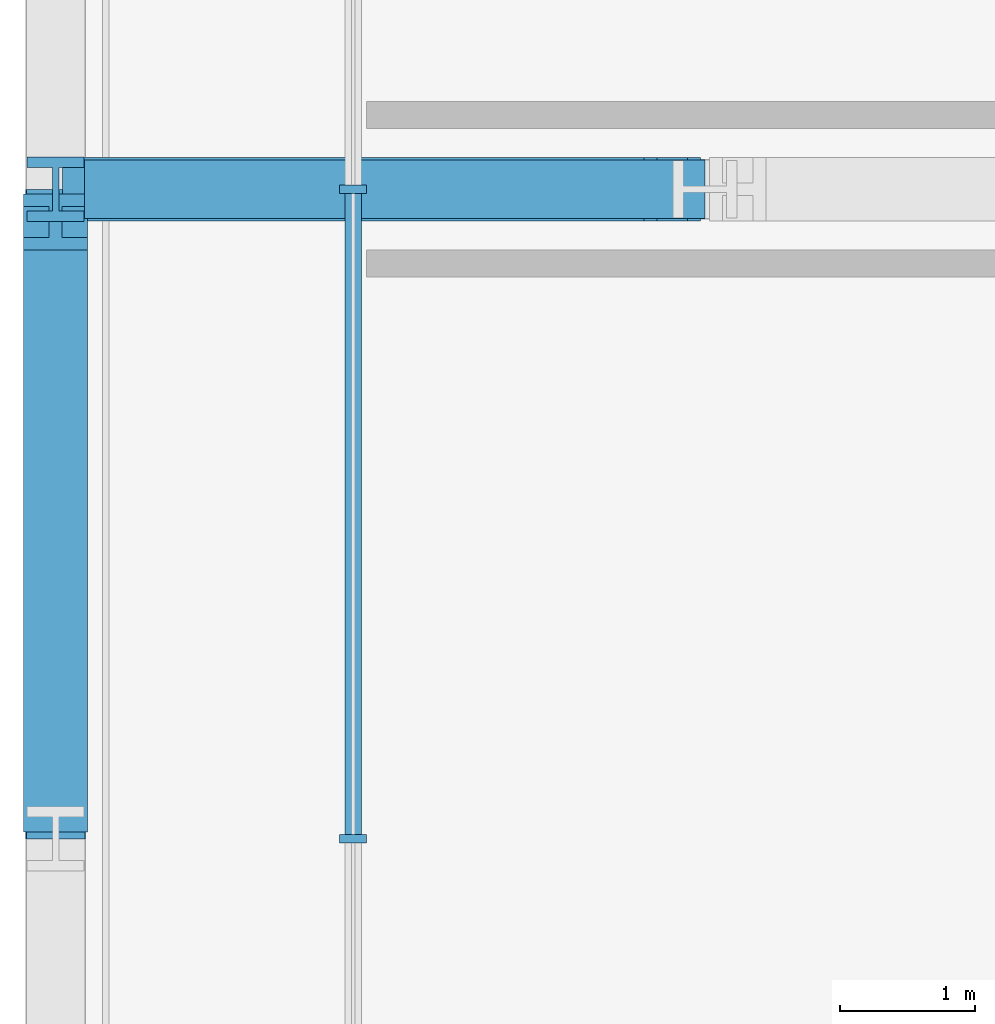
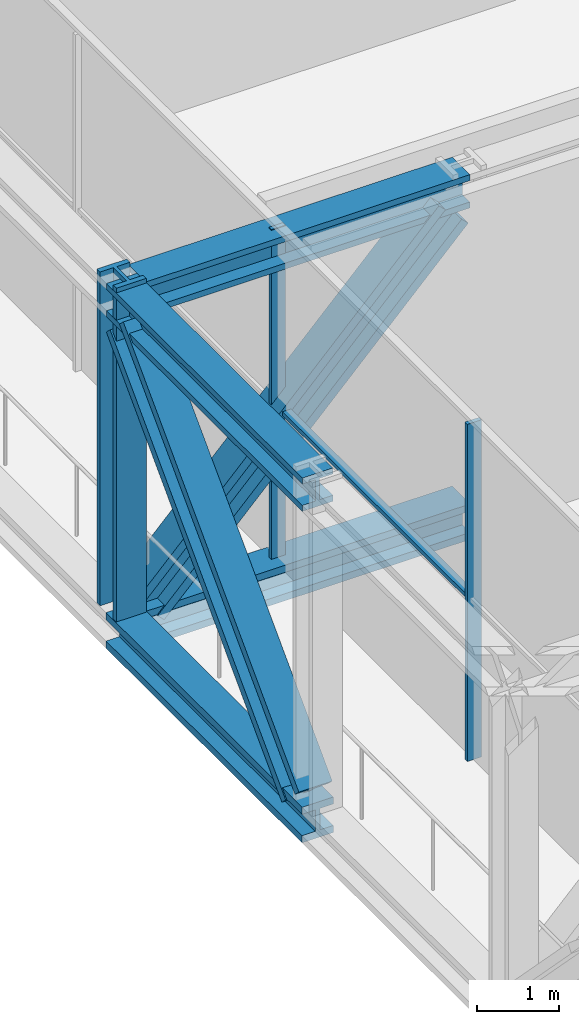
# One storey, part 4 of 25: 10 members, 1 element without a shape of its own.
"""IFC4 building model written with IfcOpenShell, lengths in metres."""

from ifc_helpers import new_model, si_unit, direction, frame, origin, origin_2d, place, context, subcontext, project, spatial, rectangle, i_section, extrude, material, layer, layer_set, material_profile, profile_set, type_object, element, aggregate, save


model = new_model("IFC4")

# Units and contexts
model_context = context("Model", 3, precision=1e-05, world=origin(), true_north=direction((0.0, 1.0)))
body_context = subcontext(model_context, "Body", "Model", "MODEL_VIEW")
ifc_project = project(units=[si_unit("LENGTHUNIT", "METRE"), si_unit("AREAUNIT", "SQUARE_METRE"), si_unit("VOLUMEUNIT", "CUBIC_METRE"), si_unit("PLANEANGLEUNIT", "RADIAN"), si_unit("MASSUNIT", "GRAM", prefix="KILO")], contexts=[model_context])

# Site, building, storey
site_placement = place(None, origin())
site = spatial("IfcSite", under=ifc_project, at=site_placement, CompositionType="ELEMENT")
building_placement = place(site_placement, origin())
building = spatial("IfcBuilding", under=site, at=building_placement, Name="Madar Terraces", CompositionType="ELEMENT")
storey_placement = place(building_placement, frame((0.0, 0.0, 113.699951171875)))
storey = spatial("IfcBuildingStorey", under=building, at=storey_placement, Name="L29", CompositionType="ELEMENT", Elevation=113.699951171875)

# Members
ifc_material_1 = material(Name="Steel ASTM A913 Grade 65", Category="steel")
ifc_material_profile_1 = material_profile(ifc_material_1, i_section(OverallWidth=0.44189453125, OverallDepth=0.53076171875, WebThickness=0.06591796875, FlangeThickness=0.105712890625, at=origin_2d()), Name="W14x605")
ifc_profile_set_1 = profile_set([ifc_material_profile_1], Name="Steel ASTM A913 Grade 65")
member_type_1 = type_object("IfcMemberType", Name="BC4 W14x605", PredefinedType="CHORD", material=ifc_profile_set_1)
member_1_placement = place(storey_placement, frame((0.0, 28.800048828125, -0.154541015625), z_axis=(0.0, -1.0, 0.0), x_axis=(1.0, 0.0, 0.0)))
element("IfcMember", 1, at=member_1_placement, inside=storey, type_object=member_type_1, Name="Exoskeleton truss ring bottom chord BC4", PredefinedType="CHORD", context=body_context, shape_type="SweptSolid", body=[
    extrude(i_section(OverallWidth=0.44189453125, OverallDepth=0.53076171875, WebThickness=0.06591796875, FlangeThickness=0.105712890625, at=origin_2d()), origin(), (0.0, 0.0, 1.0), 4.800048828125),
])
member_2_placement = place(storey_placement, frame((0.220947265625, 28.800048828125, -0.154541015625), z_axis=(1.0, 0.0, 0.0), x_axis=(0.0, 1.0, 0.0)))
element("IfcMember", 2, at=member_2_placement, inside=storey, type_object=member_type_1, Name="Exoskeleton truss cross W28.8 bottom chord BC4", PredefinedType="CHORD", context=body_context, shape_type="SweptSolid", body=[
    extrude(i_section(OverallWidth=0.44189453125, OverallDepth=0.53076171875, WebThickness=0.06591796875, FlangeThickness=0.105712890625, at=origin_2d()), origin(), (0.0, 0.0, 1.0), 4.5791015625),
])

# Curtain wall, members
ifc_material_2 = material(Name="Glass, ceramic frit dark grey, with black aluminium frame", Category="aluminium")
ifc_layer = layer(ifc_material_2, 0.199951171875)
ifc_layer_set = layer_set([ifc_layer], Name="Facade curtain wall, tall glazing")
curtain_wall_type = type_object("IfcCurtainWallType", Name="Facade curtain wall, tall glazing", PredefinedType="NOTDEFINED", material=ifc_layer_set)
curtain_wall_placement = place(storey_placement, origin())
curtain_wall = element("IfcCurtainWall", 3, at=curtain_wall_placement, inside=storey, type_object=curtain_wall_type, Name="Outer skin curtain wall west bay 1", PredefinedType="NOTDEFINED")
ifc_material_3 = material(Name="Aluminium, black anodised", Category="aluminium")
ifc_material_profile_2 = material_profile(ifc_material_3, rectangle(XDim=0.199951171875, YDim=0.06005859375, at=origin_2d()), Name="Facade mullion 60x200")
ifc_profile_set_2 = profile_set([ifc_material_profile_2], Name="Aluminium, black anodised")
member_type_2 = type_object("IfcMemberType", Name="Facade mullion 60x200", PredefinedType="MULLION", material=ifc_profile_set_2)
member_3_placement = place(storey_placement, frame((2.199951171875, 28.800048828125, 0.0), z_axis=(0.0, 0.0, 1.0), x_axis=(1.0, 0.0, 0.0)))
member_3 = element("IfcMember", 4, at=member_3_placement, type_object=member_type_2, Name="Mullion 4", PredefinedType="MULLION", context=body_context, shape_type="SweptSolid", body=[
    extrude(rectangle(XDim=0.199951171875, YDim=0.06005859375, at=origin_2d()), origin(), (0.0, 0.0, 1.0), 5.0400390625),
])
member_4_placement = place(storey_placement, frame((2.199951171875, 24.0, 0.0), z_axis=(0.0, 0.0, 1.0), x_axis=(1.0, 0.0, 0.0)))
member_4 = element("IfcMember", 5, at=member_4_placement, type_object=member_type_2, Name="Mullion 5", PredefinedType="MULLION", context=body_context, shape_type="SweptSolid", body=[
    extrude(rectangle(XDim=0.199951171875, YDim=0.06005859375, at=origin_2d()), origin(), (0.0, 0.0, 1.0), 5.0400390625),
])
ifc_material_4 = material(Name="Aluminium, black anodised", Category="aluminium")
ifc_material_profile_3 = material_profile(ifc_material_4, rectangle(XDim=0.1201171875, YDim=0.06005859375, at=origin_2d()), Name="Facade transom 60x120")
ifc_profile_set_3 = profile_set([ifc_material_profile_3], Name="Aluminium, black anodised")
member_type_3 = type_object("IfcMemberType", Name="Facade transom 60x120", PredefinedType="USERDEFINED", material=ifc_profile_set_3)
member_5_placement = place(storey_placement, frame((2.199951171875, 28.77001953125, 2.400146484375), z_axis=(0.0, -1.0, 0.0), x_axis=(1.0, 0.0, 0.0)))
member_5 = element("IfcMember", 6, at=member_5_placement, type_object=member_type_3, Name="Transom 6", ObjectType="TRANSOM", PredefinedType="USERDEFINED", context=body_context, shape_type="SweptSolid", body=[
    extrude(rectangle(XDim=0.1201171875, YDim=0.06005859375, at=origin_2d()), origin(), (0.0, 0.0, 1.0), 4.739990234375),
])
aggregate(curtain_wall, [member_3, member_4, member_5])

# Members
ifc_material_5 = material(Name="Steel ASTM A913 Grade 65", Category="steel")
ifc_material_profile_4 = material_profile(ifc_material_5, i_section(OverallWidth=0.431884765625, OverallDepth=0.497802734375, WebThickness=0.0556640625, FlangeThickness=0.0888671875, at=origin_2d()), Name="W14x500")
ifc_profile_set_4 = profile_set([ifc_material_profile_4], Name="Steel ASTM A913 Grade 65")
member_type_4 = type_object("IfcMemberType", Name="TC4 W14x500", PredefinedType="CHORD", material=ifc_profile_set_4)
member_6_placement = place(storey_placement, frame((0.0, 28.800048828125, 4.78125), z_axis=(0.0, -1.0, 0.0), x_axis=(1.0, 0.0, 0.0)))
element("IfcMember", 7, at=member_6_placement, inside=storey, type_object=member_type_4, Name="Exoskeleton truss ring top chord TC4", PredefinedType="CHORD", context=body_context, shape_type="SweptSolid", body=[
    extrude(i_section(OverallWidth=0.431884765625, OverallDepth=0.497802734375, WebThickness=0.0556640625, FlangeThickness=0.0888671875, at=origin_2d()), origin(), (0.0, 0.0, 1.0), 4.800048828125),
])
member_7_placement = place(storey_placement, frame((0.2158203125, 28.800048828125, 4.78125), z_axis=(1.0, 0.0, 0.0), x_axis=(0.0, 1.0, 0.0)))
element("IfcMember", 8, at=member_7_placement, inside=storey, type_object=member_type_4, Name="Exoskeleton truss cross W28.8 top chord TC4", PredefinedType="CHORD", context=body_context, shape_type="SweptSolid", body=[
    extrude(i_section(OverallWidth=0.431884765625, OverallDepth=0.497802734375, WebThickness=0.0556640625, FlangeThickness=0.0888671875, at=origin_2d()), origin(), (0.0, 0.0, 1.0), 4.584228515625),
])
ifc_material_6 = material(Name="Steel ASTM A913 Grade 65", Category="steel")
ifc_material_profile_5 = material_profile(ifc_material_6, i_section(OverallWidth=0.472412109375, OverallDepth=0.5791015625, WebThickness=0.094970703125, FlangeThickness=0.130126953125, at=origin_2d()), Name="W14x808")
ifc_profile_set_5 = profile_set([ifc_material_profile_5], Name="Steel ASTM A913 Grade 65")
member_type_5 = type_object("IfcMemberType", Name="TD4 W14x808", PredefinedType="BRACE", material=ifc_profile_set_5)
for number, where, z_axis, x_axis, name in (
    (9, (0.0, 28.557861328125, 4.5322265625), (0.0, -0.697181267802, -0.716894887571), (1.0, 0.0, 0.0), "Exoskeleton truss ring diagonal TD4"),
    (10, (0.258056640625, 28.800048828125, 0.11083984375), (0.697181267802, 0.0, 0.716894887571), (0.0, 1.0, 0.0), "Exoskeleton truss cross W28.8 diagonal TD4"),
):
    element("IfcMember", number, at=place(storey_placement, frame(where, z_axis=z_axis, x_axis=x_axis)), inside=storey, type_object=member_type_5, Name=name, PredefinedType="BRACE", context=body_context, shape_type="SweptSolid", body=[
        extrude(i_section(OverallWidth=0.472412109375, OverallDepth=0.5791015625, WebThickness=0.094970703125, FlangeThickness=0.130126953125, at=origin_2d()), origin(), (0.0, 0.0, 1.0), 6.16748046875),
    ])
ifc_material_7 = material(Name="Steel ASTM A913 Grade 65", Category="steel")
ifc_material_profile_6 = material_profile(ifc_material_7, i_section(OverallWidth=0.424072265625, OverallDepth=0.47509765625, WebThickness=0.0478515625, FlangeThickness=0.0771484375, at=origin_2d()), Name="W14x426")
ifc_profile_set_6 = profile_set([ifc_material_profile_6], Name="Steel ASTM A913 Grade 65")
member_type_6 = type_object("IfcMemberType", Name="TV4 W14x426", PredefinedType="POST", material=ifc_profile_set_6)
member_8_placement = place(storey_placement, frame((0.0, 28.800048828125, 0.11083984375), z_axis=(0.0, 0.0, 1.0), x_axis=(1.0, 0.0, 0.0)))
element("IfcMember", 11, at=member_8_placement, inside=storey, type_object=member_type_6, Name="Exoskeleton truss ring post TV4", PredefinedType="POST", context=body_context, shape_type="SweptSolid", body=[
    extrude(i_section(OverallWidth=0.424072265625, OverallDepth=0.47509765625, WebThickness=0.0478515625, FlangeThickness=0.0771484375, at=origin_2d()), origin(), (0.0, 0.0, 1.0), 4.9892578125),
])

save(model, "model.ifc")
